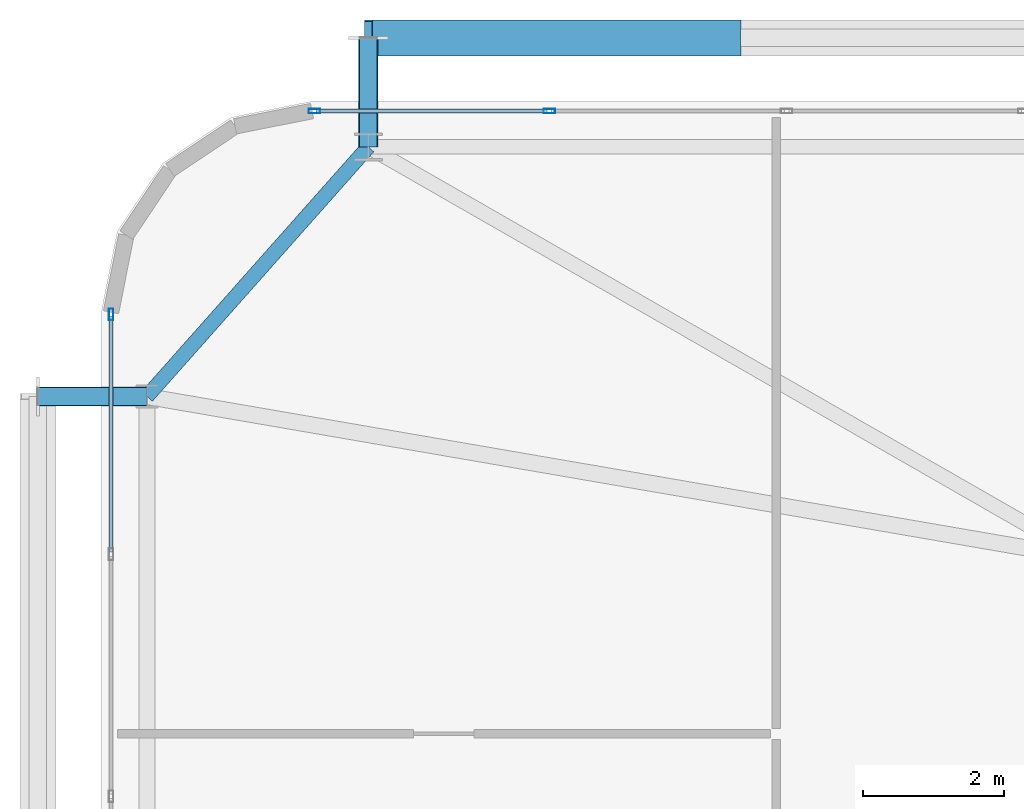
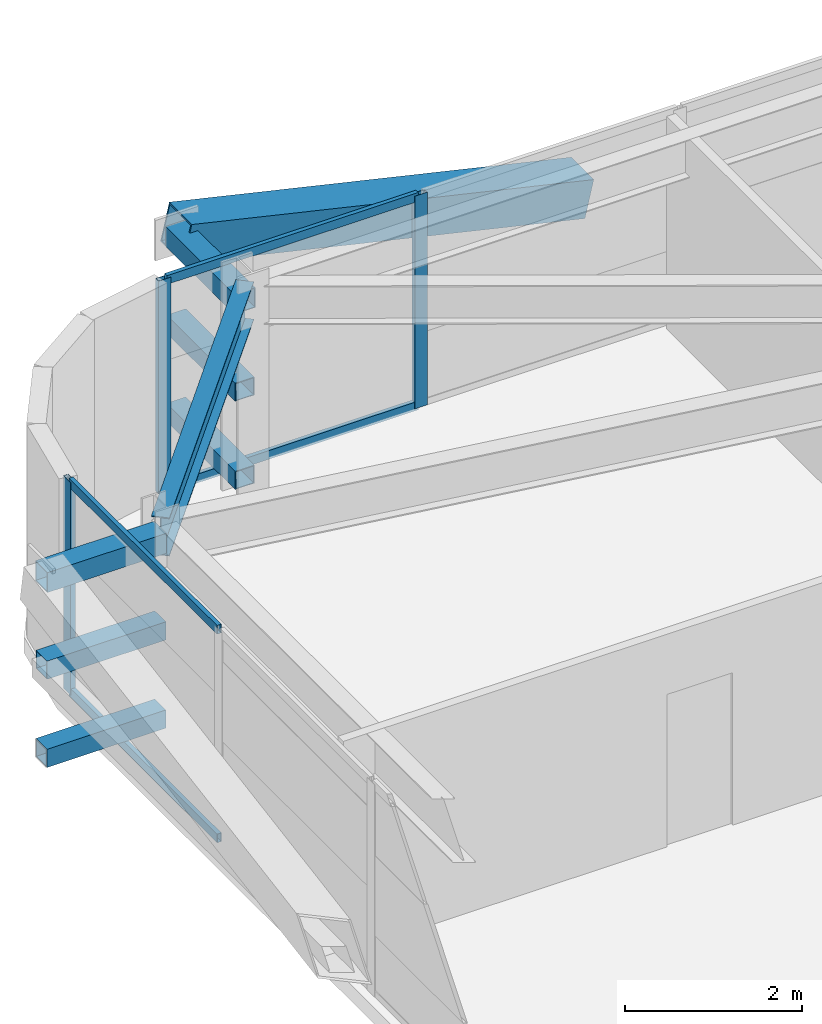
# One storey, part 33 of 59: 14 members, 1 beam, 2 elements without a shape of their own.
"""IFC4 building model written with IfcOpenShell, lengths in metres."""

from ifc_helpers import new_model, si_unit, direction, frame, origin, origin_2d, place, context, subcontext, project, spatial, hollow_rectangle, i_section, extrude, source, transform, mapped, material, layer, layer_set, material_profile, profile_set, type_object, element, aggregate, save


model = new_model("IFC4")

# Units and contexts
model_context = context("Model", 3, precision=1e-05, world=origin(), true_north=direction((0.0, 1.0)))
body_context = subcontext(model_context, "Body", "Model", "MODEL_VIEW")
ifc_project = project(units=[si_unit("LENGTHUNIT", "METRE"), si_unit("AREAUNIT", "SQUARE_METRE"), si_unit("VOLUMEUNIT", "CUBIC_METRE"), si_unit("PLANEANGLEUNIT", "RADIAN"), si_unit("MASSUNIT", "GRAM", prefix="KILO")], contexts=[model_context])

# Site, building, storey
site_placement = place(None, origin())
site = spatial("IfcSite", under=ifc_project, at=site_placement, CompositionType="ELEMENT")
building_placement = place(site_placement, origin())
building = spatial("IfcBuilding", under=site, at=building_placement, Name="Taldren Reach Tower", CompositionType="ELEMENT")
storey_placement = place(building_placement, frame((0.0, 0.0, 26.25)))
storey = spatial("IfcBuildingStorey", under=building, at=storey_placement, Name="L07", CompositionType="ELEMENT", Elevation=26.25)

# Beam
ifc_material_1 = material(Name="Steel Gr 350 (350PLUS)", Category="steel")
ifc_material_profile_1 = material_profile(ifc_material_1, i_section(OverallWidth=0.208984375, OverallDepth=0.528076171875, WebThickness=0.009521484375, FlangeThickness=0.01318359375, at=origin_2d()), Name="530UB82.0")
ifc_profile_set_1 = profile_set([ifc_material_profile_1], Name="Steel Gr 350 (350PLUS)")
beam_type = type_object("IfcBeamType", Name="SP-UB530B", PredefinedType="SPANDREL", material=ifc_profile_set_1)
shared_shape_1 = source(origin(), body_context, "Body", "SweptSolid", [
    extrude(i_section(OverallWidth=0.208984375, OverallDepth=0.528076171875, WebThickness=0.009521484375, FlangeThickness=0.01318359375, at=origin_2d()), origin(), (0.0, 0.0, 1.0), 4.74609375),
])
beam_placement = place(storey_placement, frame((8.800048828125, 37.85009765625, 2.666015625), z_axis=(-0.663721843779, -0.747979487747, 0.0), x_axis=(0.747979487747, -0.663721843779, 0.0)))
element("IfcBeam", 1, at=beam_placement, inside=storey, type_object=beam_type, Name="Perimeter spandrel B1 N1-W3 L07", PredefinedType="SPANDREL", context=body_context, shape_type="MappedRepresentation", body=[
    mapped(shared_shape_1, transform((0.0, 0.0, 0.0), scale=1.0)),
])

# Members
ifc_material_2 = material(Name="Steel Gr 450 (C450L0)", Category="steel")
ifc_material_profile_2 = material_profile(ifc_material_2, hollow_rectangle(XDim=0.27490234375, YDim=0.27490234375, WallThickness=0.00927734375, at=origin_2d()), Name="275x275x9.3SHS")
ifc_profile_set_2 = profile_set([ifc_material_profile_2], Name="Steel Gr 450 (C450L0)")
member_type_1 = type_object("IfcMemberType", Name="MB-TIE273", PredefinedType="STRUT", material=ifc_profile_set_2)
shared_shape_2 = source(origin(), body_context, "Body", "SweptSolid", [
    extrude(hollow_rectangle(XDim=0.27490234375, YDim=0.27490234375, WallThickness=0.00927734375, at=origin_2d()), origin(), (0.0, 0.0, 1.0), 1.5498046875),
])
for number, where, z_axis, x_axis, name in (
    (2, (8.800048828125, 37.85009765625, 2.64990234375), (0.0, 1.0, 0.0), (-1.0, 0.0, 0.0), "Exoskeleton diaphragm tie strut B1-N1 L07"),
    (3, (5.64990234375, 34.300048828125, 2.64990234375), (-1.0, 0.0, 0.0), (0.0, -1.0, 0.0), "Exoskeleton diaphragm tie strut B1-W3 L07"),
):
    element("IfcMember", number, at=place(storey_placement, frame(where, z_axis=z_axis, x_axis=x_axis)), inside=storey, type_object=member_type_1, Name=name, PredefinedType="STRUT", context=body_context, shape_type="MappedRepresentation", body=[
        mapped(shared_shape_2, transform((0.0, 0.0, 0.0), scale=1.0)),
    ])
ifc_material_profile_3 = material_profile(ifc_material_2, hollow_rectangle(XDim=0.510009765625, YDim=0.510009765625, WallThickness=0.02001953125, at=origin_2d()), Name="510x510x20.0SHS")
ifc_profile_set_3 = profile_set([ifc_material_profile_3], Name="Steel Gr 450 (C450L0)")
member_type_2 = type_object("IfcMemberType", Name="MB-EXO508", PredefinedType="BRACE", material=ifc_profile_set_3)
shared_shape_3 = source(origin(), body_context, "Body", "SweptSolid", [
    extrude(hollow_rectangle(XDim=0.510009765625, YDim=0.510009765625, WallThickness=0.02001953125, at=origin_2d()), origin(), (0.0, 0.0, 1.0), 5.37890625),
])
member_1_placement = place(storey_placement, frame((14.0400390625, 39.39990234375, 1.43505859375), z_axis=(-0.974161966843, 0.0, 0.225850531007), x_axis=(0.0, -1.0, 0.0)))
element("IfcMember", 4, at=member_1_placement, inside=storey, type_object=member_type_2, Name="Exoskeleton Diagrid Brace B1-N1 L07", PredefinedType="BRACE", context=body_context, shape_type="MappedRepresentation", body=[
    mapped(shared_shape_3, transform((0.0, 0.0, 0.0), scale=1.0)),
])
ifc_material_3 = material(Name="Steel Gr 350 (C350L0)", Category="steel")
ifc_material_profile_4 = material_profile(ifc_material_3, hollow_rectangle(XDim=0.25, YDim=0.25, WallThickness=0.010009765625, at=origin_2d()), Name="250x250x10.0SHS")
ifc_profile_set_4 = profile_set([ifc_material_profile_4], Name="Steel Gr 350 (C350L0)")
member_type_3 = type_object("IfcMemberType", Name="MB-POST250", PredefinedType="POST", material=ifc_profile_set_4)
shared_shape_4 = source(origin(), body_context, "Body", "SweptSolid", [
    extrude(hollow_rectangle(XDim=0.25, YDim=0.25, WallThickness=0.010009765625, at=origin_2d()), origin(), (0.0, 0.0, 1.0), 1.5498046875),
])
for number, where, z_axis, x_axis, name in (
    (5, (8.800048828125, 37.85009765625, 0.219970703125), (0.0, 1.0, 0.0), (-1.0, 0.0, 0.0), "Exoskeleton base diaphragm tie strut B1-N1 L07"),
    (6, (5.64990234375, 34.300048828125, 0.219970703125), (-1.0, 0.0, 0.0), (0.0, -1.0, 0.0), "Exoskeleton base diaphragm tie strut B1-W3 L07"),
    (7, (8.800048828125, 37.85009765625, 1.43505859375), (0.0, 1.0, 0.0), (-1.0, 0.0, 0.0), "Exoskeleton mid-tier diaphragm tie B1-N1 L07"),
    (8, (5.64990234375, 34.300048828125, 1.43505859375), (-1.0, 0.0, 0.0), (0.0, -1.0, 0.0), "Exoskeleton mid-tier diaphragm tie B1-W3 L07"),
):
    element("IfcMember", number, at=place(storey_placement, frame(where, z_axis=z_axis, x_axis=x_axis)), inside=storey, type_object=member_type_3, Name=name, PredefinedType="POST", context=body_context, shape_type="MappedRepresentation", body=[
        mapped(shared_shape_4, transform((0.0, 0.0, 0.0), scale=1.0)),
    ])

# Curtain wall, members
ifc_material_4 = material(Name="Aluminium and Low-E Glass Unitised System", Category="aluminium")
ifc_layer = layer(ifc_material_4, 0.159912109375)
ifc_layer_set = layer_set([ifc_layer], Name="Aluminium and Low-E Glass Unitised System")
curtain_wall_type = type_object("IfcCurtainWallType", Name="CW-SYS-2", PredefinedType="NOTDEFINED", material=ifc_layer_set)
curtain_wall_1_placement = place(storey_placement, origin())
curtain_wall_1 = element("IfcCurtainWall", 9, at=curtain_wall_1_placement, inside=storey, type_object=curtain_wall_type, Name="Unitised curtain wall CW-L07-N", PredefinedType="NOTDEFINED")
ifc_material_5 = material(Name="Anodised Aluminium 6063-T6", Category="aluminium")
ifc_material_profile_5 = material_profile(ifc_material_5, hollow_rectangle(XDim=0.06494140625, YDim=0.1650390625, WallThickness=0.00390625, at=origin_2d()), Name="ALU-165x65x4RHS")
ifc_profile_set_5 = profile_set([ifc_material_profile_5], Name="Anodised Aluminium 6063-T6")
member_type_4 = type_object("IfcMemberType", Name="CW-MUL-165", PredefinedType="MULLION", material=ifc_profile_set_5)
shared_shape_5 = source(origin(), body_context, "Body", "SweptSolid", [
    extrude(hollow_rectangle(XDim=0.06494140625, YDim=0.1650390625, WallThickness=0.00390625, at=origin_2d()), origin(), (0.0, 0.0, 1.0), 2.929931640625),
])
member_2_placement = place(storey_placement, frame((11.375, 38.360107421875, 0.0), z_axis=(0.0, 0.0, 1.0), x_axis=(0.0, -1.0, 0.0)))
member_2 = element("IfcMember", 10, at=member_2_placement, type_object=member_type_4, Name="CW-2 mullion 16", PredefinedType="MULLION", context=body_context, shape_type="MappedRepresentation", body=[
    mapped(shared_shape_5, transform((0.0, 0.0, 0.0), scale=1.0)),
])
member_3_placement = place(storey_placement, frame((8.032470703125, 38.360107421875, 0.0), z_axis=(0.0, 0.0, 1.0), x_axis=(0.0, -1.0, 0.0)))
member_3 = element("IfcMember", 11, at=member_3_placement, type_object=member_type_4, Name="CW-2 mullion 17", PredefinedType="MULLION", context=body_context, shape_type="MappedRepresentation", body=[
    mapped(shared_shape_5, transform((0.0, 0.0, 0.0), scale=1.0)),
])

# Curtain wall, member
curtain_wall_2_placement = place(storey_placement, origin())
curtain_wall_2 = element("IfcCurtainWall", 12, at=curtain_wall_2_placement, inside=storey, type_object=curtain_wall_type, Name="Unitised curtain wall CW-L07-W", PredefinedType="NOTDEFINED")
member_4_placement = place(storey_placement, frame((5.139892578125, 35.467529296875, 0.0), z_axis=(0.0, 0.0, 1.0), x_axis=(1.0, 0.0, 0.0)))
member_4 = element("IfcMember", 13, at=member_4_placement, type_object=member_type_4, Name="CW-2 mullion 1", PredefinedType="MULLION", context=body_context, shape_type="MappedRepresentation", body=[
    mapped(shared_shape_5, transform((0.0, 0.0, 0.0), scale=1.0)),
])

# Member
ifc_material_profile_6 = material_profile(ifc_material_5, hollow_rectangle(XDim=0.054931640625, YDim=0.1201171875, WallThickness=0.0029296875, at=origin_2d()), Name="ALU-120x55x3RHS")
ifc_profile_set_6 = profile_set([ifc_material_profile_6], Name="Anodised Aluminium 6063-T6")
member_type_5 = type_object("IfcMemberType", Name="CW-TRN-135", PredefinedType="USERDEFINED", material=ifc_profile_set_6)
shared_shape_6 = source(origin(), body_context, "Body", "SweptSolid", [
    extrude(hollow_rectangle(XDim=0.054931640625, YDim=0.1201171875, WallThickness=0.0029296875, at=origin_2d()), origin(), (0.0, 0.0, 1.0), 3.277587890625),
])
member_5_placement = place(storey_placement, frame((11.342529296875, 38.360107421875, 0.027587890625), z_axis=(-1.0, 0.0, 0.0), x_axis=(0.0, -1.0, 0.0)))
member_5 = element("IfcMember", 14, at=member_5_placement, type_object=member_type_5, Name="CW-2 transom 16.1", ObjectType="TRANSOM", PredefinedType="USERDEFINED", context=body_context, shape_type="MappedRepresentation", body=[
    mapped(shared_shape_6, transform((0.0, 0.0, 0.0), scale=1.0)),
])

member_6_placement = place(storey_placement, frame((11.342529296875, 38.360107421875, 2.902587890625), z_axis=(-1.0, 0.0, 0.0), x_axis=(0.0, -1.0, 0.0)))
member_6 = element("IfcMember", 15, at=member_6_placement, type_object=member_type_5, Name="CW-2 transom 16.2", ObjectType="TRANSOM", PredefinedType="USERDEFINED", context=body_context, shape_type="MappedRepresentation", body=[
    mapped(shared_shape_6, transform((0.0, 0.0, 0.0), scale=1.0)),
])

aggregate(curtain_wall_1, [member_2, member_3, member_5, member_6])

shared_shape_7 = source(origin(), body_context, "Body", "SweptSolid", [
    extrude(hollow_rectangle(XDim=0.054931640625, YDim=0.1201171875, WallThickness=0.0029296875, at=origin_2d()), origin(), (0.0, 0.0, 1.0), 3.346923828125),
])
member_7_placement = place(storey_placement, frame((5.139892578125, 35.43505859375, 0.027587890625), z_axis=(0.0, -1.0, 0.0), x_axis=(1.0, 0.0, 0.0)))
member_7 = element("IfcMember", 16, at=member_7_placement, type_object=member_type_5, Name="CW-2 transom 1.1", ObjectType="TRANSOM", PredefinedType="USERDEFINED", context=body_context, shape_type="MappedRepresentation", body=[
    mapped(shared_shape_7, transform((0.0, 0.0, 0.0), scale=1.0)),
])

member_8_placement = place(storey_placement, frame((5.139892578125, 35.43505859375, 2.902587890625), z_axis=(0.0, -1.0, 0.0), x_axis=(1.0, 0.0, 0.0)))
member_8 = element("IfcMember", 17, at=member_8_placement, type_object=member_type_5, Name="CW-2 transom 1.2", ObjectType="TRANSOM", PredefinedType="USERDEFINED", context=body_context, shape_type="MappedRepresentation", body=[
    mapped(shared_shape_7, transform((0.0, 0.0, 0.0), scale=1.0)),
])

aggregate(curtain_wall_2, [member_4, member_7, member_8])

save(model, "model.ifc")
